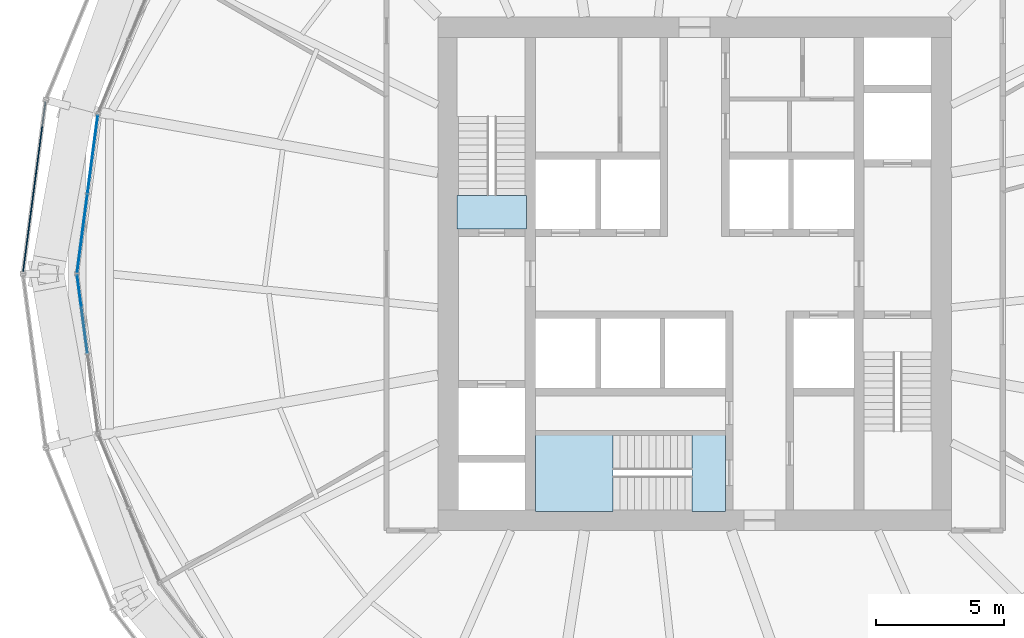
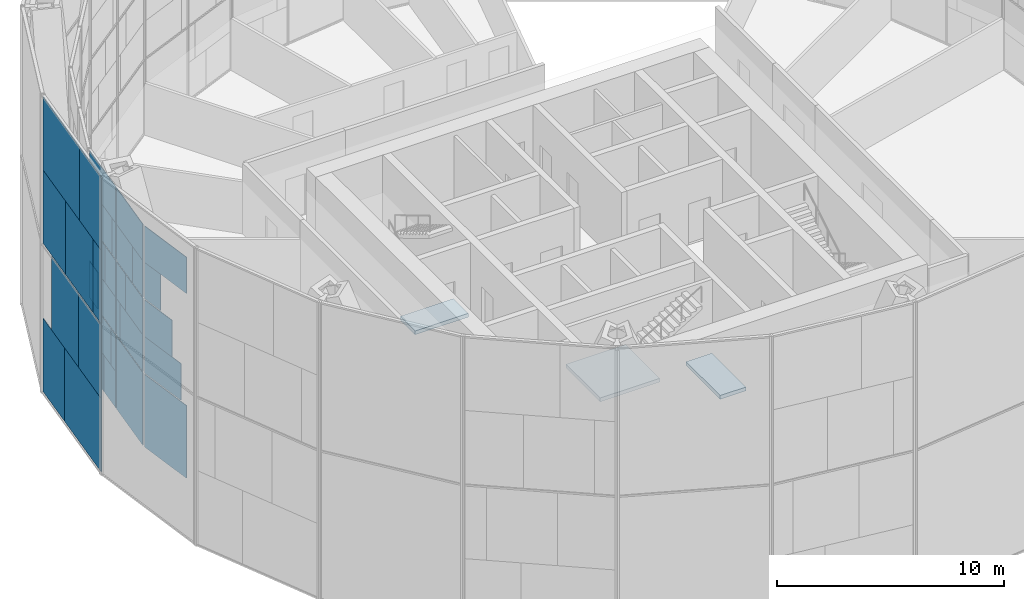
# One storey, part 14 of 26: 33 plates, 3 slabs, 4 elements without a shape of their own.
"""IFC4 building model written with IfcOpenShell, lengths in metres."""

from ifc_helpers import new_model, si_unit, direction, frame, origin, origin_2d, place, context, subcontext, project, spatial, polyline, rectangle, outline, extrude, material, layer, layer_set, type_object, element, aggregate, save


model = new_model("IFC4")

# Units and contexts
model_context = context("Model", 3, precision=1e-05, world=origin(), true_north=direction((0.0, 1.0)))
body_context = subcontext(model_context, "Body", "Model", "MODEL_VIEW")
ifc_project = project(units=[si_unit("LENGTHUNIT", "METRE"), si_unit("AREAUNIT", "SQUARE_METRE"), si_unit("VOLUMEUNIT", "CUBIC_METRE"), si_unit("PLANEANGLEUNIT", "RADIAN"), si_unit("MASSUNIT", "GRAM", prefix="KILO")], contexts=[model_context])

# Site, building, storey
site_placement = place(None, origin())
site = spatial("IfcSite", under=ifc_project, at=site_placement, CompositionType="ELEMENT")
building_placement = place(site_placement, origin())
building = spatial("IfcBuilding", under=site, at=building_placement, Name="Golbaran Civic Tower", CompositionType="ELEMENT")
storey_placement = place(building_placement, frame((0.0, 0.0, 69.0)))
storey = spatial("IfcBuildingStorey", under=building, at=storey_placement, Name="L16", CompositionType="ELEMENT", Elevation=69.0)

# Curtain wall, plates
ifc_material_1 = material(Name="Aluminium and glass", Category="aluminium")
curtain_wall_type_1 = type_object("IfcCurtainWallType", Name="INNER SKIN CURTAIN WALL", PredefinedType="NOTDEFINED", material=ifc_material_1)
curtain_wall_1_placement = place(storey_placement, origin())
curtain_wall_1 = element("IfcCurtainWall", 1, at=curtain_wall_1_placement, inside=storey, type_object=curtain_wall_type_1, Name="Inner skin L16 facet 12 CW1", ObjectType="INNER SKIN", PredefinedType="USERDEFINED")
ifc_material_2 = material(Name="Clear insulating glass", Category="glass")
ifc_layer_1 = layer(ifc_material_2, 0.031982421875, Name="Clear insulating glass")
ifc_layer_set_1 = layer_set([ifc_layer_1], Name="Clear insulating glass")
plate_type_1 = type_object("IfcPlateType", Name="INNER SKIN CURTAIN WALL GLAZED PANEL", PredefinedType="CURTAIN_PANEL", material=ifc_layer_set_1)
plate_1_placement = place(storey_placement, frame((-23.55224609375, 3.8037109375, 0.06494140625), z_axis=(0.0, 0.0, 1.0), x_axis=(-0.130526192168, -0.991444861381, 0.0)))
plate_1 = element("IfcPlate", 2, at=plate_1_placement, type_object=plate_type_1, Name="CW1 panel 1.1 part 2", PredefinedType="CURTAIN_PANEL", context=body_context, shape_type="SweptSolid", body=[
    extrude(rectangle(XDim=1.3291015625, YDim=0.031982421875, at=origin_2d()), origin(), (0.0, 0.0, 1.0), 1.951171875),
])
plate_2_placement = place(storey_placement, frame((-23.604248046875, 3.408203125, 2.016357421875), z_axis=(0.0, 0.0, 1.0), x_axis=(-0.130526192168, -0.991444861381, 0.0)))
plate_2 = element("IfcPlate", 3, at=plate_2_placement, type_object=plate_type_1, Name="CW1 panel 1.1 part 4", PredefinedType="CURTAIN_PANEL", context=body_context, shape_type="SweptSolid", body=[
    extrude(rectangle(XDim=0.531005859375, YDim=0.031982421875, at=origin_2d()), origin(), (0.0, 0.0, 1.0), 1.951171875),
])
plate_3_placement = place(storey_placement, frame((-23.306640625, 5.669189453125, 4.03271484375), z_axis=(0.0, 0.0, 1.0), x_axis=(-0.130526192168, -0.991444861381, 0.0)))
plate_3 = element("IfcPlate", 4, at=plate_3_placement, type_object=plate_type_1, Name="CW1 panel 1.2 part 1", PredefinedType="CURTAIN_PANEL", context=body_context, shape_type="SweptSolid", body=[
    extrude(rectangle(XDim=0.991943359375, YDim=0.031982421875, at=origin_2d()), origin(), (0.0, 0.0, 1.0), 1.967529296875),
])
plate_4_placement = place(storey_placement, frame((-23.359375, 5.26904296875, 6.0), z_axis=(0.0, 0.0, 1.0), x_axis=(-0.130526192168, -0.991444861381, 0.0)))
plate_4 = element("IfcPlate", 5, at=plate_4_placement, type_object=plate_type_1, Name="CW1 panel 1.2 part 3", PredefinedType="CURTAIN_PANEL", context=body_context, shape_type="SweptSolid", body=[
    extrude(rectangle(XDim=1.799072265625, YDim=0.031982421875, at=origin_2d()), origin(), (0.0, 0.0, 1.0), 1.967529296875),
])
plate_5_placement = place(storey_placement, frame((-23.41357421875, 4.856689453125, 8.032470703125), z_axis=(0.0, 0.0, 1.0), x_axis=(-0.130526192168, -0.991444861381, 0.0)))
plate_5 = element("IfcPlate", 6, at=plate_5_placement, type_object=plate_type_1, Name="CW1 panel 1.3 part 1", PredefinedType="CURTAIN_PANEL", context=body_context, shape_type="SweptSolid", body=[
    extrude(rectangle(XDim=2.631103515625, YDim=0.031982421875, at=origin_2d()), origin(), (0.0, 0.0, 1.0), 1.951171875),
])
plate_6_placement = place(storey_placement, frame((-23.4404296875, 4.65283203125, 9.98388671875), z_axis=(0.0, 0.0, 1.0), x_axis=(-0.130526192168, -0.991444861381, 0.0)))
plate_6 = element("IfcPlate", 7, at=plate_6_placement, type_object=plate_type_1, Name="CW1 panel 1.3 part 3", PredefinedType="CURTAIN_PANEL", context=body_context, shape_type="SweptSolid", body=[
    extrude(rectangle(XDim=3.0419921875, YDim=0.031982421875, at=origin_2d()), origin(), (0.0, 0.0, 1.0), 1.951171875),
])
plate_7_placement = place(storey_placement, frame((-23.845947265625, 1.572509765625, 0.06494140625), z_axis=(0.0, 0.0, 1.0), x_axis=(-0.130526192168, -0.991444861381, 0.0)))
plate_7 = element("IfcPlate", 8, at=plate_7_placement, type_object=plate_type_1, Name="CW1 panel 2.1", PredefinedType="CURTAIN_PANEL", context=body_context, shape_type="SweptSolid", body=[
    extrude(rectangle(XDim=3.0419921875, YDim=0.031982421875, at=origin_2d()), origin(), (0.0, 0.0, 1.0), 3.902587890625),
])
plate_8_placement = place(storey_placement, frame((-23.8720703125, 1.373779296875, 4.03271484375), z_axis=(0.0, 0.0, 1.0), x_axis=(-0.130526192168, -0.991444861381, 0.0)))
plate_8 = element("IfcPlate", 9, at=plate_8_placement, type_object=plate_type_1, Name="CW1 panel 2.2 part 2", PredefinedType="CURTAIN_PANEL", context=body_context, shape_type="SweptSolid", body=[
    extrude(rectangle(XDim=2.64111328125, YDim=0.031982421875, at=origin_2d()), origin(), (0.0, 0.0, 1.0), 1.967529296875),
])
plate_9_placement = place(storey_placement, frame((-23.913818359375, 1.057373046875, 6.0), z_axis=(0.0, 0.0, 1.0), x_axis=(-0.130526192168, -0.991444861381, 0.0)))
plate_9 = element("IfcPlate", 10, at=plate_9_placement, type_object=plate_type_1, Name="CW1 panel 2.2 part 4", PredefinedType="CURTAIN_PANEL", context=body_context, shape_type="SweptSolid", body=[
    extrude(rectangle(XDim=2.0029296875, YDim=0.031982421875, at=origin_2d()), origin(), (0.0, 0.0, 1.0), 1.967529296875),
])
plate_10_placement = place(storey_placement, frame((-23.967529296875, 0.64892578125, 8.032470703125), z_axis=(0.0, 0.0, 1.0), x_axis=(-0.130526192168, -0.991444861381, 0.0)))
plate_10 = element("IfcPlate", 11, at=plate_10_placement, type_object=plate_type_1, Name="CW1 panel 2.3 part 2", PredefinedType="CURTAIN_PANEL", context=body_context, shape_type="SweptSolid", body=[
    extrude(rectangle(XDim=1.178955078125, YDim=0.031982421875, at=origin_2d()), origin(), (0.0, 0.0, 1.0), 1.951171875),
])

curtain_wall_2_placement = place(storey_placement, origin())
curtain_wall_2 = element("IfcCurtainWall", 12, at=curtain_wall_2_placement, inside=storey, type_object=curtain_wall_type_1, Name="Inner skin L16 facet 13 CW1", ObjectType="INNER SKIN", PredefinedType="USERDEFINED")
plate_11_placement = place(storey_placement, frame((-23.845947265625, -1.572509765625, 0.06494140625), z_axis=(0.0, 0.0, 1.0), x_axis=(0.130526192168, -0.991444861381, 0.0)))
plate_11 = element("IfcPlate", 13, at=plate_11_placement, type_object=plate_type_1, Name="CW1 panel 1.1", PredefinedType="CURTAIN_PANEL", context=body_context, shape_type="SweptSolid", body=[
    extrude(rectangle(XDim=3.0419921875, YDim=0.031982421875, at=origin_2d()), origin(), (0.0, 0.0, 1.0), 3.902587890625),
])
plate_12_placement = place(storey_placement, frame((-23.8720703125, -1.37353515625, 4.03271484375), z_axis=(0.0, 0.0, 1.0), x_axis=(0.130526192168, -0.991444861381, 0.0)))
plate_12 = element("IfcPlate", 14, at=plate_12_placement, type_object=plate_type_1, Name="CW1 panel 1.2 part 1", PredefinedType="CURTAIN_PANEL", context=body_context, shape_type="SweptSolid", body=[
    extrude(rectangle(XDim=2.64111328125, YDim=0.031982421875, at=origin_2d()), origin(), (0.0, 0.0, 1.0), 1.967529296875),
])
plate_13_placement = place(storey_placement, frame((-23.913818359375, -1.057373046875, 6.0), z_axis=(0.0, 0.0, 1.0), x_axis=(0.130526192168, -0.991444861381, 0.0)))
plate_13 = element("IfcPlate", 15, at=plate_13_placement, type_object=plate_type_1, Name="CW1 panel 1.2 part 3", PredefinedType="CURTAIN_PANEL", context=body_context, shape_type="SweptSolid", body=[
    extrude(rectangle(XDim=2.0029296875, YDim=0.031982421875, at=origin_2d()), origin(), (0.0, 0.0, 1.0), 1.967529296875),
])
plate_14_placement = place(storey_placement, frame((-23.967529296875, -0.64892578125, 8.032470703125), z_axis=(0.0, 0.0, 1.0), x_axis=(0.130526192168, -0.991444861381, 0.0)))
plate_14 = element("IfcPlate", 16, at=plate_14_placement, type_object=plate_type_1, Name="CW1 panel 1.3 part 1", PredefinedType="CURTAIN_PANEL", context=body_context, shape_type="SweptSolid", body=[
    extrude(rectangle(XDim=1.178955078125, YDim=0.031982421875, at=origin_2d()), origin(), (0.0, 0.0, 1.0), 1.951171875),
])

# Plate
ifc_material_3 = material(Name="Aluminium faced opaque infill panel", Category="aluminium")
ifc_layer_2 = layer(ifc_material_3, 0.031982421875, Name="Aluminium faced opaque infill panel")
ifc_layer_set_2 = layer_set([ifc_layer_2], Name="Aluminium faced opaque infill panel")
plate_type_2 = type_object("IfcPlateType", Name="INNER SKIN CURTAIN WALL OPAQUE INFILL PANEL", PredefinedType="CURTAIN_PANEL", material=ifc_layer_set_2)
plate_15_placement = place(storey_placement, frame((-23.353759765625, 5.311767578125, 0.06494140625), z_axis=(0.0, 0.0, 1.0), x_axis=(-0.130526192168, -0.991444861381, 0.0)))
plate_15 = element("IfcPlate", 17, at=plate_15_placement, type_object=plate_type_2, Name="CW1 infill panel 1.1 part 1", PredefinedType="CURTAIN_PANEL", context=body_context, shape_type="SweptSolid", body=[
    extrude(rectangle(XDim=1.712890625, YDim=0.031982421875, at=origin_2d()), origin(), (0.0, 0.0, 1.0), 1.951171875),
])

plate_16_placement = place(storey_placement, frame((-23.40576171875, 4.916259765625, 2.016357421875), z_axis=(0.0, 0.0, 1.0), x_axis=(-0.130526192168, -0.991444861381, 0.0)))
plate_16 = element("IfcPlate", 18, at=plate_16_placement, type_object=plate_type_2, Name="CW1 infill panel 1.1 part 3", PredefinedType="CURTAIN_PANEL", context=body_context, shape_type="SweptSolid", body=[
    extrude(rectangle(XDim=2.510986328125, YDim=0.031982421875, at=origin_2d()), origin(), (0.0, 0.0, 1.0), 1.951171875),
])

plate_17_placement = place(storey_placement, frame((-23.505126953125, 4.1611328125, 4.03271484375), z_axis=(0.0, 0.0, 1.0), x_axis=(-0.130526192168, -0.991444861381, 0.0)))
plate_17 = element("IfcPlate", 19, at=plate_17_placement, type_object=plate_type_2, Name="CW1 infill panel 1.2 part 2", PredefinedType="CURTAIN_PANEL", context=body_context, shape_type="SweptSolid", body=[
    extrude(rectangle(XDim=2.050048828125, YDim=0.031982421875, at=origin_2d()), origin(), (0.0, 0.0, 1.0), 1.967529296875),
])

plate_18_placement = place(storey_placement, frame((-23.557861328125, 3.76123046875, 6.0), z_axis=(0.0, 0.0, 1.0), x_axis=(-0.130526192168, -0.991444861381, 0.0)))
plate_18 = element("IfcPlate", 20, at=plate_18_placement, type_object=plate_type_2, Name="CW1 infill panel 1.2 part 4", PredefinedType="CURTAIN_PANEL", context=body_context, shape_type="SweptSolid", body=[
    extrude(rectangle(XDim=1.2431640625, YDim=0.031982421875, at=origin_2d()), origin(), (0.0, 0.0, 1.0), 1.967529296875),
])

plate_19_placement = place(storey_placement, frame((-23.612060546875, 3.3486328125, 8.032470703125), z_axis=(0.0, 0.0, 1.0), x_axis=(-0.130526192168, -0.991444861381, 0.0)))
plate_19 = element("IfcPlate", 21, at=plate_19_placement, type_object=plate_type_2, Name="CW1 infill panel 1.3 part 2", PredefinedType="CURTAIN_PANEL", context=body_context, shape_type="SweptSolid", body=[
    extrude(rectangle(XDim=0.4111328125, YDim=0.031982421875, at=origin_2d()), origin(), (0.0, 0.0, 1.0), 1.951171875),
])

plate_20_placement = place(storey_placement, frame((-23.673583984375, 2.881591796875, 4.03271484375), z_axis=(0.0, 0.0, 1.0), x_axis=(-0.130526192168, -0.991444861381, 0.0)))
plate_20 = element("IfcPlate", 22, at=plate_20_placement, type_object=plate_type_2, Name="CW1 infill panel 2.2 part 1", PredefinedType="CURTAIN_PANEL", context=body_context, shape_type="SweptSolid", body=[
    extrude(rectangle(XDim=0.40087890625, YDim=0.031982421875, at=origin_2d()), origin(), (0.0, 0.0, 1.0), 1.967529296875),
])

plate_21_placement = place(storey_placement, frame((-23.71533203125, 2.5654296875, 6.0), z_axis=(0.0, 0.0, 1.0), x_axis=(-0.130526192168, -0.991444861381, 0.0)))
plate_21 = element("IfcPlate", 23, at=plate_21_placement, type_object=plate_type_2, Name="CW1 infill panel 2.2 part 3", PredefinedType="CURTAIN_PANEL", context=body_context, shape_type="SweptSolid", body=[
    extrude(rectangle(XDim=1.0390625, YDim=0.031982421875, at=origin_2d()), origin(), (0.0, 0.0, 1.0), 1.967529296875),
])

plate_22_placement = place(storey_placement, frame((-23.76904296875, 2.156982421875, 8.032470703125), z_axis=(0.0, 0.0, 1.0), x_axis=(-0.130526192168, -0.991444861381, 0.0)))
plate_22 = element("IfcPlate", 24, at=plate_22_placement, type_object=plate_type_2, Name="CW1 infill panel 2.3 part 1", PredefinedType="CURTAIN_PANEL", context=body_context, shape_type="SweptSolid", body=[
    extrude(rectangle(XDim=1.863037109375, YDim=0.031982421875, at=origin_2d()), origin(), (0.0, 0.0, 1.0), 1.951171875),
])

plate_23_placement = place(storey_placement, frame((-23.845947265625, 1.572509765625, 9.98388671875), z_axis=(0.0, 0.0, 1.0), x_axis=(-0.130526192168, -0.991444861381, 0.0)))
plate_23 = element("IfcPlate", 25, at=plate_23_placement, type_object=plate_type_2, Name="CW1 infill panel 2.3 part 3", PredefinedType="CURTAIN_PANEL", context=body_context, shape_type="SweptSolid", body=[
    extrude(rectangle(XDim=3.0419921875, YDim=0.031982421875, at=origin_2d()), origin(), (0.0, 0.0, 1.0), 1.951171875),
])

aggregate(curtain_wall_1, [plate_15, plate_1, plate_16, plate_2, plate_3, plate_17, plate_4, plate_18, plate_5, plate_19, plate_6, plate_7, plate_20, plate_8, plate_21, plate_9, plate_22, plate_10, plate_23])

plate_24_placement = place(storey_placement, frame((-23.845947265625, -1.572509765625, 9.98388671875), z_axis=(0.0, 0.0, 1.0), x_axis=(0.130526192168, -0.991444861381, 0.0)))
plate_24 = element("IfcPlate", 26, at=plate_24_placement, type_object=plate_type_2, Name="CW1 infill panel 1.3 part 3", PredefinedType="CURTAIN_PANEL", context=body_context, shape_type="SweptSolid", body=[
    extrude(rectangle(XDim=3.0419921875, YDim=0.031982421875, at=origin_2d()), origin(), (0.0, 0.0, 1.0), 1.951171875),
])

aggregate(curtain_wall_2, [plate_11, plate_12, plate_13, plate_14, plate_24])

# Curtain wall, plates
curtain_wall_type_2 = type_object("IfcCurtainWallType", Name="OUTER SKIN TERRACOTTA SCREEN", PredefinedType="NOTDEFINED", material=ifc_material_1)
curtain_wall_3_placement = place(storey_placement, origin())
curtain_wall_3 = element("IfcCurtainWall", 27, at=curtain_wall_3_placement, inside=storey, type_object=curtain_wall_type_2, Name="Outer skin L16 facet 12 CW3", ObjectType="OUTER SKIN", PredefinedType="USERDEFINED")
ifc_material_4 = material(Name="Clear laminated glass", Category="glass")
ifc_layer_3 = layer(ifc_material_4, 0.0400390625, Name="Clear laminated glass")
ifc_layer_set_3 = layer_set([ifc_layer_3], Name="Clear laminated glass")
plate_type_3 = type_object("IfcPlateType", Name="OUTER SKIN CLEAR GLASS PANEL", PredefinedType="CURTAIN_PANEL", material=ifc_layer_set_3)
plate_25_placement = place(storey_placement, frame((-25.877685546875, 2.152099609375, -0.6298828125), z_axis=(0.0, 0.0, 1.0), x_axis=(-0.130526192151, -0.991444861383, 0.0)))
plate_25 = element("IfcPlate", 28, at=plate_25_placement, type_object=plate_type_3, Name="CW3 panel 1.1 part 2", PredefinedType="CURTAIN_PANEL", context=body_context, shape_type="SweptSolid", body=[
    extrude(rectangle(XDim=4.181396484375, YDim=0.0400390625, at=origin_2d()), origin(), (0.0, 0.0, 1.0), 3.93994140625),
])
plate_26_placement = place(storey_placement, frame((-25.98291015625, 1.35205078125, 3.31005859375), z_axis=(0.0, 0.0, 1.0), x_axis=(-0.130526192151, -0.991444861383, 0.0)))
plate_26 = element("IfcPlate", 29, at=plate_26_placement, type_object=plate_type_3, Name="CW3 panel 1.1 part 5", PredefinedType="CURTAIN_PANEL", context=body_context, shape_type="SweptSolid", body=[
    extrude(rectangle(XDim=2.5673828125, YDim=0.0400390625, at=origin_2d()), origin(), (0.0, 0.0, 1.0), 3.93994140625),
])
plate_27_placement = place(storey_placement, frame((-25.449462890625, 5.40380859375, 7.330078125), z_axis=(0.0, 0.0, 1.0), x_axis=(-0.130526192151, -0.991444861383, 0.0)))
plate_27 = element("IfcPlate", 30, at=plate_27_placement, type_object=plate_type_3, Name="CW3 panel 1.2 part 1", PredefinedType="CURTAIN_PANEL", context=body_context, shape_type="SweptSolid", body=[
    extrude(rectangle(XDim=2.597900390625, YDim=0.0400390625, at=origin_2d()), origin(), (0.0, 0.0, 1.0), 3.93994140625),
])
plate_28_placement = place(storey_placement, frame((-26.090576171875, 0.53564453125, 7.330078125), z_axis=(0.0, 0.0, 1.0), x_axis=(-0.130526192151, -0.991444861383, 0.0)))
plate_28 = element("IfcPlate", 31, at=plate_28_placement, type_object=plate_type_3, Name="CW3 panel 1.2 part 3", PredefinedType="CURTAIN_PANEL", context=body_context, shape_type="SweptSolid", body=[
    extrude(rectangle(XDim=0.92041015625, YDim=0.0400390625, at=origin_2d()), origin(), (0.0, 0.0, 1.0), 3.93994140625),
])
plate_29_placement = place(storey_placement, frame((-25.5546875, 4.605224609375, 11.27001953125), z_axis=(0.0, 0.0, 1.0), x_axis=(-0.130526192151, -0.991444861383, 0.0)))
plate_29 = element("IfcPlate", 32, at=plate_29_placement, type_object=plate_type_3, Name="CW3 panel 1.2 part 4", PredefinedType="CURTAIN_PANEL", context=body_context, shape_type="SweptSolid", body=[
    extrude(rectangle(XDim=4.208984375, YDim=0.0400390625, at=origin_2d()), origin(), (0.0, 0.0, 1.0), 3.93994140625),
])
ifc_material_5 = material(Name="Terracotta baguette screen", Category="masonry")
ifc_layer_4 = layer(ifc_material_5, 0.0400390625, Name="Terracotta baguette screen")
ifc_layer_set_4 = layer_set([ifc_layer_4], Name="Terracotta baguette screen")
plate_type_4 = type_object("IfcPlateType", Name="OUTER SKIN TERRACOTTA INFILL PANEL", PredefinedType="CURTAIN_PANEL", material=ifc_layer_set_4)
plate_30_placement = place(storey_placement, frame((-25.4423828125, 5.458251953125, -0.6298828125), z_axis=(0.0, 0.0, 1.0), x_axis=(-0.130526192151, -0.991444861383, 0.0)))
plate_30 = element("IfcPlate", 33, at=plate_30_placement, type_object=plate_type_4, Name="CW3 infill panel 1.1 part 1", PredefinedType="CURTAIN_PANEL", context=body_context, shape_type="SweptSolid", body=[
    extrude(rectangle(XDim=2.488037109375, YDim=0.0400390625, at=origin_2d()), origin(), (0.0, 0.0, 1.0), 3.93994140625),
])
plate_31_placement = place(storey_placement, frame((-25.610107421875, 4.184814453125, 3.31005859375), z_axis=(0.0, 0.0, 1.0), x_axis=(-0.130526192151, -0.991444861383, 0.0)))
plate_31 = element("IfcPlate", 34, at=plate_31_placement, type_object=plate_type_4, Name="CW3 infill panel 1.1 part 4", PredefinedType="CURTAIN_PANEL", context=body_context, shape_type="SweptSolid", body=[
    extrude(rectangle(XDim=3.14697265625, YDim=0.0400390625, at=origin_2d()), origin(), (0.0, 0.0, 1.0), 3.93994140625),
])
plate_32_placement = place(storey_placement, frame((-25.82470703125, 2.553955078125, 7.330078125), z_axis=(0.0, 0.0, 1.0), x_axis=(-0.130526192151, -0.991444861383, 0.0)))
plate_32 = element("IfcPlate", 35, at=plate_32_placement, type_object=plate_type_4, Name="CW3 infill panel 1.2 part 2", PredefinedType="CURTAIN_PANEL", context=body_context, shape_type="SweptSolid", body=[
    extrude(rectangle(XDim=3.15087890625, YDim=0.0400390625, at=origin_2d()), origin(), (0.0, 0.0, 1.0), 3.93994140625),
])
plate_33_placement = place(storey_placement, frame((-25.989990234375, 1.299072265625, 11.27001953125), z_axis=(0.0, 0.0, 1.0), x_axis=(-0.130526192151, -0.991444861383, 0.0)))
plate_33 = element("IfcPlate", 36, at=plate_33_placement, type_object=plate_type_4, Name="CW3 infill panel 1.2 part 5", PredefinedType="CURTAIN_PANEL", context=body_context, shape_type="SweptSolid", body=[
    extrude(rectangle(XDim=2.46044921875, YDim=0.0400390625, at=origin_2d()), origin(), (0.0, 0.0, 1.0), 3.93994140625),
])
aggregate(curtain_wall_3, [plate_30, plate_25, plate_31, plate_26, plate_27, plate_32, plate_28, plate_29, plate_33])

# Slab
ifc_material_6 = material(Name="Concrete C35/45", Category="concrete")
ifc_layer_5 = layer(ifc_material_6, 0.199951171875, Name="Concrete C35/45")
ifc_layer_set_5 = layer_set([ifc_layer_5], Name="Concrete C35/45")
slab_type = type_object("IfcSlabType", Name="STAIR LANDING 200", PredefinedType="LANDING", material=ifc_layer_set_5)
slab_1_placement = place(storey_placement, frame((0.0, 0.0, -0.199951171875)))
element("IfcSlab", 37, at=slab_1_placement, inside=storey, type_object=slab_type, Name="Stair S1 floor landing L16", PredefinedType="LANDING", context=body_context, shape_type="SweptSolid", body=[
    extrude(outline(polyline([(-9.25, 1.75), (-9.25, 3.054931640625), (-6.550048828125, 3.054931640625), (-6.550048828125, 1.75), (-9.25, 1.75)])), origin(), (0.0, 0.0, 1.0), 0.199951171875),
])

# Stair, slab
stair_type = type_object("IfcStairType", Name="EXIT STAIR 2900 x 7400, 4000 RISE", PredefinedType="HALF_TURN_STAIR", material=ifc_material_6)
stair_placement = place(storey_placement, origin())
stair = element("IfcStair", 38, at=stair_placement, inside=storey, type_object=stair_type, Name="Stair S3 L16", PredefinedType="HALF_TURN_STAIR")
slab_2_placement = place(storey_placement, frame((0.0, 0.0, 1.800048828125)))
slab_2 = element("IfcSlab", 39, at=slab_2_placement, type_object=slab_type, Name="ST29074-40 landing 1", PredefinedType="LANDING", context=body_context, shape_type="SweptSolid", body=[
    extrude(outline(polyline([(-3.175048828125, -9.25), (-6.199951171875, -9.25), (-6.199951171875, -6.25), (-3.175048828125, -6.25), (-3.175048828125, -9.25)])), origin(), (0.0, 0.0, 1.0), 0.199951171875),
])
aggregate(stair, [slab_2])

# Slab
slab_3_placement = place(storey_placement, frame((0.0, 0.0, -0.199951171875)))
element("IfcSlab", 40, at=slab_3_placement, inside=storey, type_object=slab_type, Name="Stair S3 floor landing L16", PredefinedType="LANDING", context=body_context, shape_type="SweptSolid", body=[
    extrude(outline(polyline([(1.199951171875, -9.25), (-0.10498046875, -9.25), (-0.10498046875, -6.25), (1.199951171875, -6.25), (1.199951171875, -9.25)])), origin(), (0.0, 0.0, 1.0), 0.199951171875),
])

save(model, "model.ifc")
